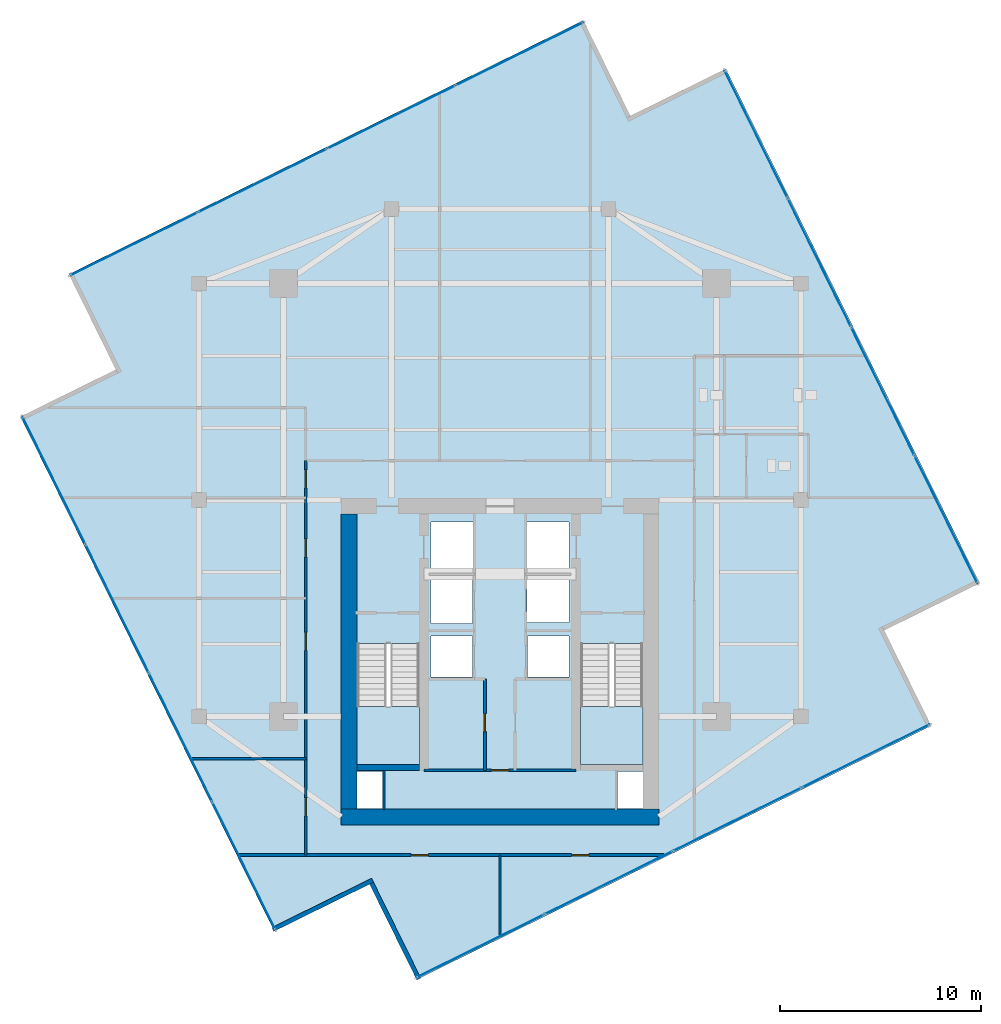
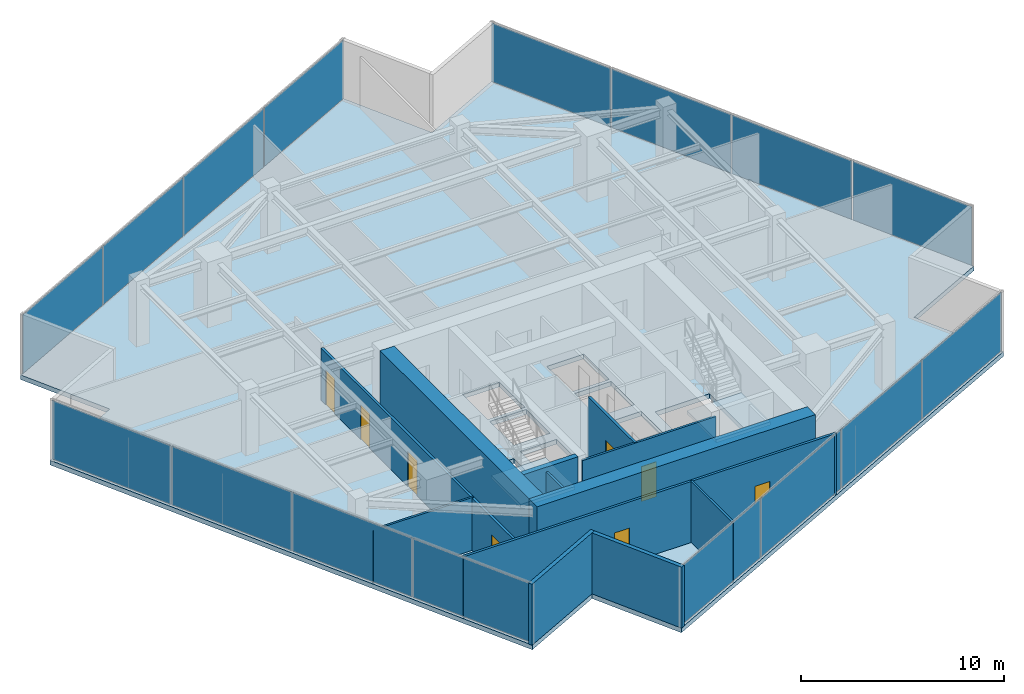
# One storey, part 18 of 22: 16 plates, 12 walls, 8 doors, 3 slabs, 8 openings, 6 elements without a shape of their own.
"""IFC4 building model written with IfcOpenShell, lengths in metres."""

from ifc_helpers import new_model, si_unit, direction, frame, frame_2d, origin, origin_2d, place, context, subcontext, project, spatial, polyline, rectangle, outline, extrude, source, transform, mapped, material, layer, layer_set, type_object, type_shapes, element, fill, aggregate, save


model = new_model("IFC4")

# Units and contexts
model_context = context("Model", 3, precision=1e-05, world=origin(), true_north=direction((0.0, 1.0)))
body_context = subcontext(model_context, "Body", "Model", "MODEL_VIEW")
ifc_project = project(units=[si_unit("LENGTHUNIT", "METRE"), si_unit("AREAUNIT", "SQUARE_METRE"), si_unit("VOLUMEUNIT", "CUBIC_METRE"), si_unit("PLANEANGLEUNIT", "RADIAN"), si_unit("MASSUNIT", "GRAM", prefix="KILO")], contexts=[model_context])

# Site, building, storey
site_placement = place(None, origin())
site = spatial("IfcSite", under=ifc_project, at=site_placement, CompositionType="ELEMENT")
building_placement = place(site_placement, origin())
building = spatial("IfcBuilding", under=site, at=building_placement, Name="Krantzveldt Concourse Tower", CompositionType="ELEMENT")
storey_placement = place(building_placement, frame((0.0, 0.0, 310.85009765625)))
storey = spatial("IfcBuildingStorey", under=building, at=storey_placement, Name="L76", CompositionType="ELEMENT", Elevation=310.85009765625)

# Stair, slab
ifc_material_1 = material(Name="Precast concrete C40/50", Category="concrete")
stair_type = type_object("IfcStairType", Name="STR-CORE-DOGLEG", PredefinedType="HALF_TURN_STAIR", material=ifc_material_1)
stair_1_placement = place(storey_placement, origin())
stair_1 = element("IfcStair", 1, at=stair_1_placement, inside=storey, type_object=stair_type, Name="L76 Protected Escape Stair ST-1", PredefinedType="HALF_TURN_STAIR")
ifc_layer_1 = layer(ifc_material_1, 0.199951171875, Name="Precast concrete C40/50", Category="concrete")
ifc_layer_set_1 = layer_set([ifc_layer_1], Name="Precast concrete C40/50 (SL-LANDING-200)")
slab_type_1 = type_object("IfcSlabType", Name="SL-LANDING-200", PredefinedType="LANDING", material=ifc_layer_set_1)
slab_1_placement = place(storey_placement, frame((0.0, 0.0, 1.77490234375)))
slab_1 = element("IfcSlab", 2, at=slab_1_placement, type_object=slab_type_1, Name="ST-1 landing 1", PredefinedType="LANDING", context=body_context, shape_type="SweptSolid", body=[
    extrude(outline(polyline([(28.8798828125, 16.4150390625), (28.8798828125, 13.52001953125), (31.97998046875, 13.52001953125), (31.97998046875, 16.4150390625), (28.8798828125, 16.4150390625)])), origin(), (0.0, 0.0, 1.0), 0.199951171875),
])
aggregate(stair_1, [slab_1])

stair_2_placement = place(storey_placement, origin())
stair_2 = element("IfcStair", 3, at=stair_2_placement, inside=storey, type_object=stair_type, Name="L76 Protected Escape Stair ST-2", PredefinedType="HALF_TURN_STAIR")
slab_2_placement = place(storey_placement, frame((0.0, 0.0, 1.77490234375)))
slab_2 = element("IfcSlab", 4, at=slab_2_placement, type_object=slab_type_1, Name="ST-2 landing 1", PredefinedType="LANDING", context=body_context, shape_type="SweptSolid", body=[
    extrude(outline(polyline([(40.02001953125, 16.4150390625), (40.02001953125, 13.52001953125), (43.1201171875, 13.52001953125), (43.1201171875, 16.4150390625), (40.02001953125, 16.4150390625)])), origin(), (0.0, 0.0, 1.0), 0.199951171875),
])
aggregate(stair_2, [slab_2])

# Slab
ifc_material_2 = material(Name="Concrete C40/50", Category="concrete")
ifc_layer_2 = layer(ifc_material_2, 0.280029296875, Name="Concrete C40/50", Category="concrete")
ifc_layer_set_2 = layer_set([ifc_layer_2], Name="Concrete C40/50 (SL-SL-TWR280)")
slab_type_2 = type_object("IfcSlabType", Name="SL-SL-TWR280", PredefinedType="FLOOR", material=ifc_layer_set_2)
slab_3_placement = place(storey_placement, frame((0.0, 0.0, -0.280029296875)))
element("IfcSlab", 5, at=slab_3_placement, inside=storey, type_object=slab_type_2, Name="SL-L76-MAIN", PredefinedType="FLOOR", context=body_context, shape_type="SweptSolid", body=[
    extrude(outline(polyline([(42.50048828125, 45.85009765625), (40.156494140625, 50.603515625), (14.505859375, 37.9541015625), (16.85009765625, 33.200439453125), (12.0966796875, 30.8564453125), (24.74609375, 5.205810546875), (29.49951171875, 7.550048828125), (31.843505859375, 2.796630859375), (57.494140625, 15.446044921875), (55.14990234375, 20.199462890625), (59.9033203125, 22.543701171875), (47.25390625, 48.194091796875), (42.50048828125, 45.85009765625)]), holes=[polyline([(28.8798828125, 19.547607421875), (28.8798828125, 13.52001953125), (31.97998046875, 13.52001953125), (31.97998046875, 19.547607421875), (28.8798828125, 19.547607421875)]), polyline([(40.02001953125, 19.547607421875), (40.02001953125, 13.52001953125), (43.1201171875, 13.52001953125), (43.1201171875, 19.547607421875), (40.02001953125, 19.547607421875)]), polyline([(32.550048828125, 23.10009765625), (34.64990234375, 23.10009765625), (34.64990234375, 25.60009765625), (32.550048828125, 25.60009765625), (32.550048828125, 23.10009765625)]), polyline([(37.35009765625, 23.10009765625), (39.449951171875, 23.10009765625), (39.449951171875, 25.60009765625), (37.35009765625, 25.60009765625), (37.35009765625, 23.10009765625)]), polyline([(37.35009765625, 20.60009765625), (39.449951171875, 20.60009765625), (39.449951171875, 22.89990234375), (37.35009765625, 22.89990234375), (37.35009765625, 20.60009765625)]), polyline([(32.550048828125, 20.550048828125), (34.6201171875, 20.550048828125), (34.6201171875, 22.89990234375), (32.550048828125, 22.89990234375), (32.550048828125, 20.550048828125)]), polyline([(32.550048828125, 17.8798828125), (34.6201171875, 17.8798828125), (34.6201171875, 19.919921875), (32.550048828125, 19.919921875), (32.550048828125, 17.8798828125)]), polyline([(37.3798828125, 17.8798828125), (39.449951171875, 17.8798828125), (39.449951171875, 19.919921875), (37.3798828125, 19.919921875), (37.3798828125, 17.8798828125)]), polyline([(28.8798828125, 11.320068359375), (30.139892578125, 11.320068359375), (30.139892578125, 13.159912109375), (28.8798828125, 13.159912109375), (28.8798828125, 11.320068359375)]), polyline([(41.860107421875, 11.320068359375), (43.1201171875, 11.320068359375), (43.1201171875, 13.159912109375), (41.860107421875, 13.159912109375), (41.860107421875, 11.320068359375)])]), origin(), (0.0, 0.0, 1.0), 0.280029296875),
])

# Curtain wall, plates
ifc_material_3 = material(Name="Anodised aluminium 6063-T6", Category="aluminium")
curtain_wall_type = type_object("IfcCurtainWallType", Name="CW4", PredefinedType="USERDEFINED", material=ifc_material_3)
curtain_wall_1_placement = place(storey_placement, origin())
curtain_wall_1 = element("IfcCurtainWall", 6, at=curtain_wall_1_placement, inside=storey, type_object=curtain_wall_type, Name="CW-L76-F01", ObjectType="UNITISED CURTAIN WALL", PredefinedType="USERDEFINED")
ifc_material_4 = material(Name="Bronze-tinted laminated low-E IGU glass", Category="glass")
ifc_layer_3 = layer(ifc_material_4, 0.031982421875, Name="Bronze-tinted laminated low-E IGU glass", Category="glass")
ifc_layer_set_3 = layer_set([ifc_layer_3], Name="Bronze-tinted laminated low-E IGU glass (CW-GLZ-32)")
plate_type = type_object("IfcPlateType", Name="CW-GLZ-32", PredefinedType="CURTAIN_PANEL", material=ifc_layer_set_3)
shared_shape_1 = source(origin(), body_context, "Body", "SweptSolid", [
    extrude(rectangle(XDim=7.044921875, YDim=0.031982421875, at=origin_2d()), origin(), (0.0, 0.0, 1.0), 3.530029296875),
])
plate_1_placement = place(storey_placement, frame((36.97412109375, 48.933837890625, 0.06982421875), z_axis=(0.0, 0.0, 1.0), x_axis=(-0.896872829457, -0.442288511927, 0.0)))
plate_1 = element("IfcPlate", 7, at=plate_1_placement, type_object=plate_type, Name="CW-Z56 panel 1.1", PredefinedType="CURTAIN_PANEL", context=body_context, shape_type="MappedRepresentation", body=[
    mapped(shared_shape_1, transform((0.0, 0.0, 0.0), x_axis=(1.0, 0.0, 0.0), y_axis=(0.0, 1.0, 0.0), z_axis=(0.0, 0.0, 1.0), scale=1.0)),
])
plate_2_placement = place(storey_placement, frame((17.767578125, 39.462158203125, 0.06982421875), z_axis=(0.0, 0.0, 1.0), x_axis=(-0.896872829457, -0.442288511927, 0.0)))
plate_2 = element("IfcPlate", 8, at=plate_2_placement, type_object=plate_type, Name="CW-Z56 panel 4.1", PredefinedType="CURTAIN_PANEL", context=body_context, shape_type="MappedRepresentation", body=[
    mapped(shared_shape_1, transform((0.0, 0.0, 0.0), x_axis=(1.0, 0.0, 0.0), y_axis=(0.0, 1.0, 0.0), z_axis=(0.0, 0.0, 1.0), scale=1.0)),
])

curtain_wall_2_placement = place(storey_placement, origin())
curtain_wall_2 = element("IfcCurtainWall", 9, at=curtain_wall_2_placement, inside=storey, type_object=curtain_wall_type, Name="CW-L76-F04", ObjectType="UNITISED CURTAIN WALL", PredefinedType="USERDEFINED")
plate_3_placement = place(storey_placement, frame((13.76611328125, 27.67431640625, 0.06982421875), z_axis=(0.0, 0.0, 1.0), x_axis=(0.442288511927, -0.896872829457, 0.0)))
plate_3 = element("IfcPlate", 10, at=plate_3_placement, type_object=plate_type, Name="CW-Z56 panel 1.1", PredefinedType="CURTAIN_PANEL", context=body_context, shape_type="MappedRepresentation", body=[
    mapped(shared_shape_1, transform((0.0, 0.0, 0.0), x_axis=(1.0, 0.0, 0.0), y_axis=(0.0, 1.0, 0.0), z_axis=(0.0, 0.0, 1.0), scale=1.0)),
])
plate_4_placement = place(storey_placement, frame((23.23779296875, 8.4677734375, 0.06982421875), z_axis=(0.0, 0.0, 1.0), x_axis=(0.442288511927, -0.896872829457, 0.0)))
plate_4 = element("IfcPlate", 11, at=plate_4_placement, type_object=plate_type, Name="CW-Z56 panel 4.1", PredefinedType="CURTAIN_PANEL", context=body_context, shape_type="MappedRepresentation", body=[
    mapped(shared_shape_1, transform((0.0, 0.0, 0.0), x_axis=(1.0, 0.0, 0.0), y_axis=(0.0, 1.0, 0.0), z_axis=(0.0, 0.0, 1.0), scale=1.0)),
])

curtain_wall_3_placement = place(storey_placement, origin())
curtain_wall_3 = element("IfcCurtainWall", 12, at=curtain_wall_3_placement, inside=storey, type_object=curtain_wall_type, Name="CW-L76-F07", ObjectType="UNITISED CURTAIN WALL", PredefinedType="USERDEFINED")
plate_5_placement = place(storey_placement, frame((35.02587890625, 4.46630859375, 0.06982421875), z_axis=(0.0, 0.0, 1.0), x_axis=(0.896872829457, 0.442288511927, 0.0)))
plate_5 = element("IfcPlate", 13, at=plate_5_placement, type_object=plate_type, Name="CW-Z56 panel 1.1", PredefinedType="CURTAIN_PANEL", context=body_context, shape_type="MappedRepresentation", body=[
    mapped(shared_shape_1, transform((0.0, 0.0, 0.0), x_axis=(1.0, 0.0, 0.0), y_axis=(0.0, 1.0, 0.0), z_axis=(0.0, 0.0, 1.0), scale=1.0)),
])
plate_6_placement = place(storey_placement, frame((54.232421875, 13.937744140625, 0.06982421875), z_axis=(0.0, 0.0, 1.0), x_axis=(0.896872829457, 0.442288511927, 0.0)))
plate_6 = element("IfcPlate", 14, at=plate_6_placement, type_object=plate_type, Name="CW-Z56 panel 4.1", PredefinedType="CURTAIN_PANEL", context=body_context, shape_type="MappedRepresentation", body=[
    mapped(shared_shape_1, transform((0.0, 0.0, 0.0), x_axis=(1.0, 0.0, 0.0), y_axis=(0.0, 1.0, 0.0), z_axis=(0.0, 0.0, 1.0), scale=1.0)),
])

curtain_wall_4_placement = place(storey_placement, origin())
curtain_wall_4 = element("IfcCurtainWall", 15, at=curtain_wall_4_placement, inside=storey, type_object=curtain_wall_type, Name="CW-L76-F10", ObjectType="UNITISED CURTAIN WALL", PredefinedType="USERDEFINED")
plate_7_placement = place(storey_placement, frame((58.23388671875, 25.725830078125, 0.06982421875), z_axis=(0.0, 0.0, 1.0), x_axis=(-0.442288511927, 0.896872829457, 0.0)))
plate_7 = element("IfcPlate", 16, at=plate_7_placement, type_object=plate_type, Name="CW-Z56 panel 1.1", PredefinedType="CURTAIN_PANEL", context=body_context, shape_type="MappedRepresentation", body=[
    mapped(shared_shape_1, transform((0.0, 0.0, 0.0), x_axis=(1.0, 0.0, 0.0), y_axis=(0.0, 1.0, 0.0), z_axis=(0.0, 0.0, 1.0), scale=1.0)),
])
plate_8_placement = place(storey_placement, frame((48.76220703125, 44.932373046875, 0.06982421875), z_axis=(0.0, 0.0, 1.0), x_axis=(-0.442288511927, 0.896872829457, 0.0)))
plate_8 = element("IfcPlate", 17, at=plate_8_placement, type_object=plate_type, Name="CW-Z56 panel 4.1", PredefinedType="CURTAIN_PANEL", context=body_context, shape_type="MappedRepresentation", body=[
    mapped(shared_shape_1, transform((0.0, 0.0, 0.0), x_axis=(1.0, 0.0, 0.0), y_axis=(0.0, 1.0, 0.0), z_axis=(0.0, 0.0, 1.0), scale=1.0)),
])

# Plate
shared_shape_2 = source(origin(), body_context, "Body", "SweptSolid", [
    extrude(rectangle(XDim=7.080078125, YDim=0.031982421875, at=origin_2d()), origin(), (0.0, 0.0, 1.0), 3.530029296875),
])
type_shapes(plate_type, [shared_shape_1, shared_shape_2])
plate_9_placement = place(storey_placement, frame((30.5771484375, 45.779052734375, 0.06982421875), z_axis=(0.0, 0.0, 1.0), x_axis=(-0.896872829457, -0.442288511927, 0.0)))
plate_9 = element("IfcPlate", 18, at=plate_9_placement, type_object=plate_type, Name="CW-Z56 panel 2.1", PredefinedType="CURTAIN_PANEL", context=body_context, shape_type="MappedRepresentation", body=[
    mapped(shared_shape_2, transform((0.0, 0.0, 0.0), x_axis=(1.0, 0.0, 0.0), y_axis=(0.0, 1.0, 0.0), z_axis=(0.0, 0.0, 1.0), scale=1.0)),
])

plate_10_placement = place(storey_placement, frame((24.16455078125, 42.61669921875, 0.06982421875), z_axis=(0.0, 0.0, 1.0), x_axis=(-0.896872829457, -0.442288511927, 0.0)))
plate_10 = element("IfcPlate", 19, at=plate_10_placement, type_object=plate_type, Name="CW-Z56 panel 3.1", PredefinedType="CURTAIN_PANEL", context=body_context, shape_type="MappedRepresentation", body=[
    mapped(shared_shape_2, transform((0.0, 0.0, 0.0), x_axis=(1.0, 0.0, 0.0), y_axis=(0.0, 1.0, 0.0), z_axis=(0.0, 0.0, 1.0), scale=1.0)),
])

aggregate(curtain_wall_1, [plate_1, plate_9, plate_10, plate_2])

plate_11_placement = place(storey_placement, frame((16.9208984375, 21.27734375, 0.06982421875), z_axis=(0.0, 0.0, 1.0), x_axis=(0.442288511927, -0.896872829457, 0.0)))
plate_11 = element("IfcPlate", 20, at=plate_11_placement, type_object=plate_type, Name="CW-Z56 panel 2.1", PredefinedType="CURTAIN_PANEL", context=body_context, shape_type="MappedRepresentation", body=[
    mapped(shared_shape_2, transform((0.0, 0.0, 0.0), x_axis=(1.0, 0.0, 0.0), y_axis=(0.0, 1.0, 0.0), z_axis=(0.0, 0.0, 1.0), scale=1.0)),
])

plate_12_placement = place(storey_placement, frame((20.083251953125, 14.86474609375, 0.06982421875), z_axis=(0.0, 0.0, 1.0), x_axis=(0.442288511927, -0.896872829457, 0.0)))
plate_12 = element("IfcPlate", 21, at=plate_12_placement, type_object=plate_type, Name="CW-Z56 panel 3.1", PredefinedType="CURTAIN_PANEL", context=body_context, shape_type="MappedRepresentation", body=[
    mapped(shared_shape_2, transform((0.0, 0.0, 0.0), x_axis=(1.0, 0.0, 0.0), y_axis=(0.0, 1.0, 0.0), z_axis=(0.0, 0.0, 1.0), scale=1.0)),
])

aggregate(curtain_wall_2, [plate_3, plate_11, plate_12, plate_4])

plate_13_placement = place(storey_placement, frame((41.4228515625, 7.620849609375, 0.06982421875), z_axis=(0.0, 0.0, 1.0), x_axis=(0.896872829457, 0.442288511927, 0.0)))
plate_13 = element("IfcPlate", 22, at=plate_13_placement, type_object=plate_type, Name="CW-Z56 panel 2.1", PredefinedType="CURTAIN_PANEL", context=body_context, shape_type="MappedRepresentation", body=[
    mapped(shared_shape_2, transform((0.0, 0.0, 0.0), x_axis=(1.0, 0.0, 0.0), y_axis=(0.0, 1.0, 0.0), z_axis=(0.0, 0.0, 1.0), scale=1.0)),
])

plate_14_placement = place(storey_placement, frame((47.83544921875, 10.783203125, 0.06982421875), z_axis=(0.0, 0.0, 1.0), x_axis=(0.896872829457, 0.442288511927, 0.0)))
plate_14 = element("IfcPlate", 23, at=plate_14_placement, type_object=plate_type, Name="CW-Z56 panel 3.1", PredefinedType="CURTAIN_PANEL", context=body_context, shape_type="MappedRepresentation", body=[
    mapped(shared_shape_2, transform((0.0, 0.0, 0.0), x_axis=(1.0, 0.0, 0.0), y_axis=(0.0, 1.0, 0.0), z_axis=(0.0, 0.0, 1.0), scale=1.0)),
])

aggregate(curtain_wall_3, [plate_5, plate_13, plate_14, plate_6])

plate_15_placement = place(storey_placement, frame((55.0791015625, 32.122802734375, 0.06982421875), z_axis=(0.0, 0.0, 1.0), x_axis=(-0.442288511927, 0.896872829457, 0.0)))
plate_15 = element("IfcPlate", 24, at=plate_15_placement, type_object=plate_type, Name="CW-Z56 panel 2.1", PredefinedType="CURTAIN_PANEL", context=body_context, shape_type="MappedRepresentation", body=[
    mapped(shared_shape_2, transform((0.0, 0.0, 0.0), x_axis=(1.0, 0.0, 0.0), y_axis=(0.0, 1.0, 0.0), z_axis=(0.0, 0.0, 1.0), scale=1.0)),
])

plate_16_placement = place(storey_placement, frame((51.916748046875, 38.535400390625, 0.06982421875), z_axis=(0.0, 0.0, 1.0), x_axis=(-0.442288511927, 0.896872829457, 0.0)))
plate_16 = element("IfcPlate", 25, at=plate_16_placement, type_object=plate_type, Name="CW-Z56 panel 3.1", PredefinedType="CURTAIN_PANEL", context=body_context, shape_type="MappedRepresentation", body=[
    mapped(shared_shape_2, transform((0.0, 0.0, 0.0), x_axis=(1.0, 0.0, 0.0), y_axis=(0.0, 1.0, 0.0), z_axis=(0.0, 0.0, 1.0), scale=1.0)),
])

aggregate(curtain_wall_4, [plate_7, plate_15, plate_16, plate_8])

# Walls
ifc_layer_4 = layer(ifc_material_3, 0.219970703125, Name="Anodised aluminium 6063-T6", Category="aluminium")
ifc_layer_set_4 = layer_set([ifc_layer_4], Name="Anodised aluminium 6063-T6 (WL-EXT-NOTCH220)")
wall_type_1 = type_object("IfcWallType", Name="WL-EXT-NOTCH220", PredefinedType="ELEMENTEDWALL", material=ifc_layer_set_4)
wall_1_placement = place(storey_placement, frame((24.675048828125, 5.29345703125, 0.0), z_axis=(0.0, 0.0, 1.0), x_axis=(0.896879244314, 0.442275503639, 0.0)))
element("IfcWall", 26, at=wall_1_placement, inside=storey, type_object=wall_type_1, Name="EW-L76-NCH05", PredefinedType="ELEMENTEDWALL", context=body_context, shape_type="SweptSolid", body=[
    extrude(rectangle(XDim=5.544921875, YDim=0.219970703125, at=frame_2d((2.7724609375, 0.0))), origin(), (0.0, 0.0, 1.0), 3.669921875),
])
wall_2_placement = place(storey_placement, frame((29.59814453125, 7.5986328125, 0.0), z_axis=(0.0, 0.0, 1.0), x_axis=(0.442291978932, -0.896871119712, 0.0)))
element("IfcWall", 27, at=wall_2_placement, inside=storey, type_object=wall_type_1, Name="EW-L76-NCH06", PredefinedType="ELEMENTEDWALL", context=body_context, shape_type="SweptSolid", body=[
    extrude(rectangle(XDim=5.324951171875, YDim=0.219970703125, at=frame_2d((2.66259765625, 0.0))), origin(), (0.0, 0.0, 1.0), 3.669921875),
])

# Wall, opening, door
ifc_material_5 = material(Name="Fire-rated gypsum plasterboard on steel stud", Category="steel")
ifc_layer_5 = layer(ifc_material_5, 0.1201171875, Name="Fire-rated gypsum plasterboard on steel stud", Category="steel")
ifc_layer_set_5 = layer_set([ifc_layer_5], Name="Fire-rated gypsum plasterboard on steel stud (WL-PART-120)")
wall_type_2 = type_object("IfcWallType", Name="WL-PART-120", PredefinedType="PARTITIONING", material=ifc_layer_set_5)
wall_3_placement = place(storey_placement, frame((32.2099609375, 13.219970703125, 0.0), z_axis=(0.0, 0.0, 1.0), x_axis=(1.0, 0.0, 0.0)))
wall_3 = element("IfcWall", 28, at=wall_3_placement, inside=storey, type_object=wall_type_2, Name="WP-L76-CS2H", PredefinedType="PARTITIONING", context=body_context, shape_type="SweptSolid", body=[
    extrude(rectangle(XDim=7.580078125, YDim=0.1201171875, at=frame_2d((3.7900390625, 0.0))), origin(), (0.0, 0.0, 1.0), 3.669921875),
])
opening_1_placement = place(wall_3_placement, frame((3.364990234375, 0.0, 0.0)))
opening_1 = element("IfcOpeningElement", 29, at=opening_1_placement, cuts=wall_3, Name="Opening D-IN085", PredefinedType="OPENING", context=body_context, shape_type="SweptSolid", body=[
    extrude(rectangle(XDim=0.85009765625, YDim=2.10009765625, at=frame_2d((0.425048828125, 1.050048828125))), frame((0.0, 0.070068359375, 0.0), z_axis=(0.0, -1.0, 0.0), x_axis=(1.0, 0.0, 0.0)), (0.0, 0.0, 1.0), 0.14013671875),
])
ifc_material_6 = material(Name="Hardwood timber", Category="wood")
door_type_1 = type_object("IfcDoorType", Name="DR-INT-850", OperationType="SINGLE_SWING_LEFT", PredefinedType="DOOR", material=ifc_material_6)
door_1_placement = place(opening_1_placement, origin())
door_1 = element("IfcDoor", 30, at=door_1_placement, inside=storey, type_object=door_type_1, Name="DR-L76-CSC1", OperationType="SINGLE_SWING_RIGHT", OverallHeight=2.10009765625, OverallWidth=0.85009765625, PredefinedType="DOOR", context=body_context, shape_type="SweptSolid", body=[
    extrude(rectangle(XDim=0.85009765625, YDim=2.10009765625, at=frame_2d((0.425048828125, 1.050048828125))), frame((0.0, 0.02490234375, 0.0), z_axis=(0.0, -1.0, 0.0), x_axis=(1.0, 0.0, 0.0)), (0.0, 0.0, 1.0), 0.050048828125),
])
fill(opening_1, door_1)

# Walls
wall_4_placement = place(storey_placement, frame((20.608154296875, 13.800048828125, 0.0), z_axis=(0.0, 0.0, 1.0), x_axis=(1.0, 0.0, 0.0)))
element("IfcWall", 31, at=wall_4_placement, inside=storey, type_object=wall_type_2, Name="WP-L76-WD1", PredefinedType="PARTITIONING", context=body_context, shape_type="SweptSolid", body=[
    extrude(rectangle(XDim=5.7119140625, YDim=0.1201171875, at=frame_2d((2.85595703125, 0.0))), origin(), (0.0, 0.0, 1.0), 3.179931640625),
])
wall_5_placement = place(storey_placement, frame((36.0, 4.946533203125, 0.0), z_axis=(0.0, 0.0, 1.0), x_axis=(0.0, 1.0, 0.0)))
element("IfcWall", 32, at=wall_5_placement, inside=storey, type_object=wall_type_2, Name="WP-L76-SSMD", PredefinedType="PARTITIONING", context=body_context, shape_type="SweptSolid", body=[
    extrude(rectangle(XDim=4.053466796875, YDim=0.1201171875, at=frame_2d((2.02685546875, 0.0))), origin(), (0.0, 0.0, 1.0), 3.669921875),
])

# Wall, openings, doors
ifc_layer_6 = layer(ifc_material_5, 0.139892578125, Name="Fire-rated gypsum plasterboard on steel stud", Category="steel")
ifc_layer_set_6 = layer_set([ifc_layer_6], Name="Fire-rated gypsum plasterboard on steel stud (WL-PART-140)")
wall_type_3 = type_object("IfcWallType", Name="WL-PART-140", PredefinedType="PARTITIONING", material=ifc_layer_set_6)
wall_6_placement = place(storey_placement, frame((26.320068359375, 9.0, 0.0), z_axis=(0.0, 0.0, 1.0), x_axis=(0.0, 1.0, 0.0)))
wall_6 = element("IfcWall", 33, at=wall_6_placement, inside=storey, type_object=wall_type_3, Name="WP-L76-CWEST", PredefinedType="PARTITIONING", context=body_context, shape_type="SweptSolid", body=[
    extrude(rectangle(XDim=19.659912109375, YDim=0.139892578125, at=frame_2d((9.830078125, 0.0))), origin(), (0.0, 0.0, 1.0), 3.1298828125),
])
opening_2_placement = place(wall_6_placement, frame((18.300048828125, 0.0, 0.0)))
opening_2 = element("IfcOpeningElement", 34, at=opening_2_placement, cuts=wall_6, Name="Opening D-IN090", PredefinedType="OPENING", context=body_context, shape_type="SweptSolid", body=[
    extrude(rectangle(XDim=0.89990234375, YDim=2.10009765625, at=frame_2d((0.449951171875, 1.050048828125))), frame((0.0, 0.080078125, 0.0), z_axis=(0.0, -1.0, 0.0), x_axis=(1.0, 0.0, 0.0)), (0.0, 0.0, 1.0), 0.159912109375),
])
opening_3_placement = place(wall_6_placement, frame((1.949951171875, 0.0, 0.0)))
opening_3 = element("IfcOpeningElement", 35, at=opening_3_placement, cuts=wall_6, Name="Opening D-IN090", PredefinedType="OPENING", context=body_context, shape_type="SweptSolid", body=[
    extrude(rectangle(XDim=0.89990234375, YDim=2.10009765625, at=frame_2d((0.449951171875, 1.050048828125))), frame((0.0, 0.080078125, 0.0), z_axis=(0.0, -1.0, 0.0), x_axis=(1.0, 0.0, 0.0)), (0.0, 0.0, 1.0), 0.159912109375),
])
opening_4_placement = place(wall_6_placement, frame((10.199951171875, 0.0, 0.0)))
opening_4 = element("IfcOpeningElement", 36, at=opening_4_placement, cuts=wall_6, Name="Opening D-IN090", PredefinedType="OPENING", context=body_context, shape_type="SweptSolid", body=[
    extrude(rectangle(XDim=0.89990234375, YDim=2.10009765625, at=frame_2d((0.449951171875, 1.050048828125))), frame((0.0, 0.080078125, 0.0), z_axis=(0.0, -1.0, 0.0), x_axis=(1.0, 0.0, 0.0)), (0.0, 0.0, 1.0), 0.159912109375),
])
opening_5_placement = place(wall_6_placement, frame((14.860107421875, 0.0, 0.0)))
opening_5 = element("IfcOpeningElement", 37, at=opening_5_placement, cuts=wall_6, Name="Opening D-IN090", PredefinedType="OPENING", context=body_context, shape_type="SweptSolid", body=[
    extrude(rectangle(XDim=0.89990234375, YDim=2.10009765625, at=frame_2d((0.449951171875, 1.050048828125))), frame((0.0, 0.080078125, 0.0), z_axis=(0.0, -1.0, 0.0), x_axis=(1.0, 0.0, 0.0)), (0.0, 0.0, 1.0), 0.159912109375),
])
door_type_2 = type_object("IfcDoorType", Name="DR-INT-900", OperationType="SINGLE_SWING_LEFT", PredefinedType="DOOR", material=ifc_material_6)
door_2_placement = place(opening_2_placement, origin())
door_2 = element("IfcDoor", 38, at=door_2_placement, inside=storey, type_object=door_type_2, Name="DR-L76-PNT", OperationType="SINGLE_SWING_LEFT", OverallHeight=2.10009765625, OverallWidth=0.89990234375, PredefinedType="DOOR", context=body_context, shape_type="SweptSolid", body=[
    extrude(rectangle(XDim=0.89990234375, YDim=2.10009765625, at=frame_2d((0.449951171875, 1.050048828125))), frame((0.0, 0.02490234375, 0.0), z_axis=(0.0, -1.0, 0.0), x_axis=(1.0, 0.0, 0.0)), (0.0, 0.0, 1.0), 0.050048828125),
])
fill(opening_2, door_2)
door_3_placement = place(opening_3_placement, origin())
door_3 = element("IfcDoor", 39, at=door_3_placement, inside=storey, type_object=door_type_2, Name="DR-L76-WR1", OperationType="SINGLE_SWING_LEFT", OverallHeight=2.10009765625, OverallWidth=0.89990234375, PredefinedType="DOOR", context=body_context, shape_type="SweptSolid", body=[
    extrude(rectangle(XDim=0.89990234375, YDim=2.10009765625, at=frame_2d((0.449951171875, 1.050048828125))), frame((0.0, 0.02490234375, 0.0), z_axis=(0.0, -1.0, 0.0), x_axis=(1.0, 0.0, 0.0)), (0.0, 0.0, 1.0), 0.050048828125),
])
fill(opening_3, door_3)
door_4_placement = place(opening_4_placement, origin())
door_4 = element("IfcDoor", 40, at=door_4_placement, inside=storey, type_object=door_type_2, Name="DR-L76-WR2", OperationType="SINGLE_SWING_LEFT", OverallHeight=2.10009765625, OverallWidth=0.89990234375, PredefinedType="DOOR", context=body_context, shape_type="SweptSolid", body=[
    extrude(rectangle(XDim=0.89990234375, YDim=2.10009765625, at=frame_2d((0.449951171875, 1.050048828125))), frame((0.0, 0.02490234375, 0.0), z_axis=(0.0, -1.0, 0.0), x_axis=(1.0, 0.0, 0.0)), (0.0, 0.0, 1.0), 0.050048828125),
])
fill(opening_4, door_4)
door_5_placement = place(opening_5_placement, origin())
door_5 = element("IfcDoor", 41, at=door_5_placement, inside=storey, type_object=door_type_2, Name="DR-L76-WR3", OperationType="SINGLE_SWING_LEFT", OverallHeight=2.10009765625, OverallWidth=0.89990234375, PredefinedType="DOOR", context=body_context, shape_type="SweptSolid", body=[
    extrude(rectangle(XDim=0.89990234375, YDim=2.10009765625, at=frame_2d((0.449951171875, 1.050048828125))), frame((0.0, 0.02490234375, 0.0), z_axis=(0.0, -1.0, 0.0), x_axis=(1.0, 0.0, 0.0)), (0.0, 0.0, 1.0), 0.050048828125),
])
fill(opening_5, door_5)

wall_7_placement = place(storey_placement, frame((22.975341796875, 9.0, 0.0), z_axis=(0.0, 0.0, 1.0), x_axis=(1.0, 0.0, 0.0)))
wall_7 = element("IfcWall", 42, at=wall_7_placement, inside=storey, type_object=wall_type_3, Name="WP-L76-CSBOT", PredefinedType="PARTITIONING", context=body_context, shape_type="SweptSolid", body=[
    extrude(rectangle(XDim=21.244140625, YDim=0.139892578125, at=frame_2d((10.6220703125, 0.0))), origin(), (0.0, 0.0, 1.0), 3.669921875),
])
opening_6_placement = place(wall_7_placement, frame((8.599609375, 0.0, 0.0)))
opening_6 = element("IfcOpeningElement", 43, at=opening_6_placement, cuts=wall_7, Name="Opening D-IN085", PredefinedType="OPENING", context=body_context, shape_type="SweptSolid", body=[
    extrude(rectangle(XDim=0.85009765625, YDim=2.10009765625, at=frame_2d((0.425048828125, 1.050048828125))), frame((0.0, 0.080078125, 0.0), z_axis=(0.0, -1.0, 0.0), x_axis=(1.0, 0.0, 0.0)), (0.0, 0.0, 1.0), 0.159912109375),
])
opening_7_placement = place(wall_7_placement, frame((16.599609375, 0.0, 0.0)))
opening_7 = element("IfcOpeningElement", 44, at=opening_7_placement, cuts=wall_7, Name="Opening D-IN085", PredefinedType="OPENING", context=body_context, shape_type="SweptSolid", body=[
    extrude(rectangle(XDim=0.85009765625, YDim=2.10009765625, at=frame_2d((0.425048828125, 1.050048828125))), frame((0.0, 0.080078125, 0.0), z_axis=(0.0, -1.0, 0.0), x_axis=(1.0, 0.0, 0.0)), (0.0, 0.0, 1.0), 0.159912109375),
])
door_6_placement = place(opening_6_placement, origin())
door_6 = element("IfcDoor", 45, at=door_6_placement, inside=storey, type_object=door_type_1, Name="DR-L76-SR1", OperationType="SINGLE_SWING_LEFT", OverallHeight=2.10009765625, OverallWidth=0.85009765625, PredefinedType="DOOR", context=body_context, shape_type="SweptSolid", body=[
    extrude(rectangle(XDim=0.85009765625, YDim=2.10009765625, at=frame_2d((0.425048828125, 1.050048828125))), frame((0.0, 0.02490234375, 0.0), z_axis=(0.0, -1.0, 0.0), x_axis=(1.0, 0.0, 0.0)), (0.0, 0.0, 1.0), 0.050048828125),
])
fill(opening_6, door_6)
door_7_placement = place(opening_7_placement, origin())
door_7 = element("IfcDoor", 46, at=door_7_placement, inside=storey, type_object=door_type_1, Name="DR-L76-SR2", OperationType="SINGLE_SWING_LEFT", OverallHeight=2.10009765625, OverallWidth=0.85009765625, PredefinedType="DOOR", context=body_context, shape_type="SweptSolid", body=[
    extrude(rectangle(XDim=0.85009765625, YDim=2.10009765625, at=frame_2d((0.425048828125, 1.050048828125))), frame((0.0, 0.02490234375, 0.0), z_axis=(0.0, -1.0, 0.0), x_axis=(1.0, 0.0, 0.0)), (0.0, 0.0, 1.0), 0.050048828125),
])
fill(opening_7, door_7)

# Wall, opening, door
ifc_layer_7 = layer(ifc_material_5, 0.139892578125, Name="Fire-rated gypsum plasterboard on steel stud", Category="steel")
ifc_layer_set_7 = layer_set([ifc_layer_7], Name="Fire-rated gypsum plasterboard on steel stud (WL-PART-FR140)")
wall_type_4 = type_object("IfcWallType", Name="WL-PART-FR140", PredefinedType="PARTITIONING", material=ifc_layer_set_7)
wall_8_placement = place(storey_placement, frame((35.25, 13.219970703125, 0.0), z_axis=(0.0, 0.0, 1.0), x_axis=(0.0, 1.0, 0.0)))
wall_8 = element("IfcWall", 47, at=wall_8_placement, inside=storey, type_object=wall_type_4, Name="WP-L76-RECW", PredefinedType="PARTITIONING", context=body_context, shape_type="SweptSolid", body=[
    extrude(rectangle(XDim=4.56005859375, YDim=0.139892578125, at=frame_2d((2.280029296875, 0.0))), origin(), (0.0, 0.0, 1.0), 3.669921875),
])
opening_8_placement = place(wall_8_placement, frame((1.929931640625, 0.0, 0.0)))
opening_8 = element("IfcOpeningElement", 48, at=opening_8_placement, cuts=wall_8, Name="Opening D-FD090", PredefinedType="OPENING", context=body_context, shape_type="SweptSolid", body=[
    extrude(rectangle(XDim=0.89990234375, YDim=2.10009765625, at=frame_2d((0.449951171875, 1.050048828125))), frame((0.0, 0.080078125, 0.0), z_axis=(0.0, -1.0, 0.0), x_axis=(1.0, 0.0, 0.0)), (0.0, 0.0, 1.0), 0.159912109375),
])
door_type_3 = type_object("IfcDoorType", Name="DR-FD60-900", OperationType="SINGLE_SWING_LEFT", PredefinedType="DOOR", material=ifc_material_6)
door_8_placement = place(opening_8_placement, origin())
door_8 = element("IfcDoor", 49, at=door_8_placement, inside=storey, type_object=door_type_3, Name="DR-L76-RECW", OperationType="SINGLE_SWING_LEFT", OverallHeight=2.10009765625, OverallWidth=0.89990234375, PredefinedType="DOOR", context=body_context, shape_type="SweptSolid", body=[
    extrude(rectangle(XDim=0.89990234375, YDim=2.10009765625, at=frame_2d((0.449951171875, 1.050048828125))), frame((0.0, 0.02490234375, 0.0), z_axis=(0.0, -1.0, 0.0), x_axis=(1.0, 0.0, 0.0)), (0.0, 0.0, 1.0), 0.050048828125),
])
fill(opening_8, door_8)

# Walls
wall_9_placement = place(storey_placement, frame((30.219970703125, 11.25, 0.0), z_axis=(0.0, 0.0, 1.0), x_axis=(0.0, 1.0, 0.0)))
element("IfcWall", 50, at=wall_9_placement, inside=storey, type_object=wall_type_4, Name="WP-L76-RSW", PredefinedType="PARTITIONING", context=body_context, shape_type="SweptSolid", body=[
    extrude(rectangle(XDim=1.969970703125, YDim=0.1201171875, at=frame_2d((0.98486328125, 0.0))), origin(), (0.0, 0.0, 1.0), 3.669921875),
])
ifc_material_7 = material(Name="Concrete C50/60", Category="concrete")
ifc_layer_8 = layer(ifc_material_7, 0.300048828125, Name="Concrete C50/60", Category="concrete")
ifc_layer_set_8 = layer_set([ifc_layer_8], Name="Concrete C50/60 (WL-SHEAR-300)")
wall_type_5 = type_object("IfcWallType", Name="WL-SHEAR-300", PredefinedType="SHEAR", material=ifc_layer_set_8)
wall_10_placement = place(storey_placement, frame((28.8798828125, 13.3701171875, 0.0), z_axis=(0.0, 0.0, 1.0), x_axis=(1.0, 0.0, 0.0)))
element("IfcWall", 51, at=wall_10_placement, inside=storey, type_object=wall_type_5, Name="CW-L76-ST1S", PredefinedType="SHEAR", context=body_context, shape_type="SweptSolid", body=[
    extrude(rectangle(XDim=3.10009765625, YDim=0.300048828125, at=frame_2d((1.550048828125, 0.0))), origin(), (0.0, 0.0, 1.0), 3.949951171875),
])
ifc_material_8 = material(Name="Concrete C60/75", Category="concrete")
ifc_layer_9 = layer(ifc_material_8, 0.800048828125, Name="Concrete C60/75", Category="concrete")
ifc_layer_set_9 = layer_set([ifc_layer_9], Name="Concrete C60/75 (WL-SHEAR-800)")
wall_type_6 = type_object("IfcWallType", Name="WL-SHEAR-800", PredefinedType="SHEAR", material=ifc_layer_set_9)
wall_11_placement = place(storey_placement, frame((28.080078125, 10.89990234375, 0.0), z_axis=(0.0, 0.0, 1.0), x_axis=(1.0, 0.0, 0.0)))
element("IfcWall", 52, at=wall_11_placement, inside=storey, type_object=wall_type_6, Name="CW-L76-S", PredefinedType="SHEAR", context=body_context, shape_type="SweptSolid", body=[
    extrude(rectangle(XDim=15.83984375, YDim=0.800048828125, at=frame_2d((7.919921875, 0.0))), origin(), (0.0, 0.0, 1.0), 3.949951171875),
])
wall_12_placement = place(storey_placement, frame((28.47998046875, 11.300048828125, 0.0), z_axis=(0.0, 0.0, 1.0), x_axis=(0.0, 1.0, 0.0)))
element("IfcWall", 53, at=wall_12_placement, inside=storey, type_object=wall_type_6, Name="CW-L76-W", PredefinedType="SHEAR", context=body_context, shape_type="SweptSolid", body=[
    extrude(rectangle(XDim=14.699951171875, YDim=0.800048828125, at=frame_2d((7.35009765625, 0.0))), origin(), (0.0, 0.0, 1.0), 3.949951171875),
])

save(model, "model.ifc")
